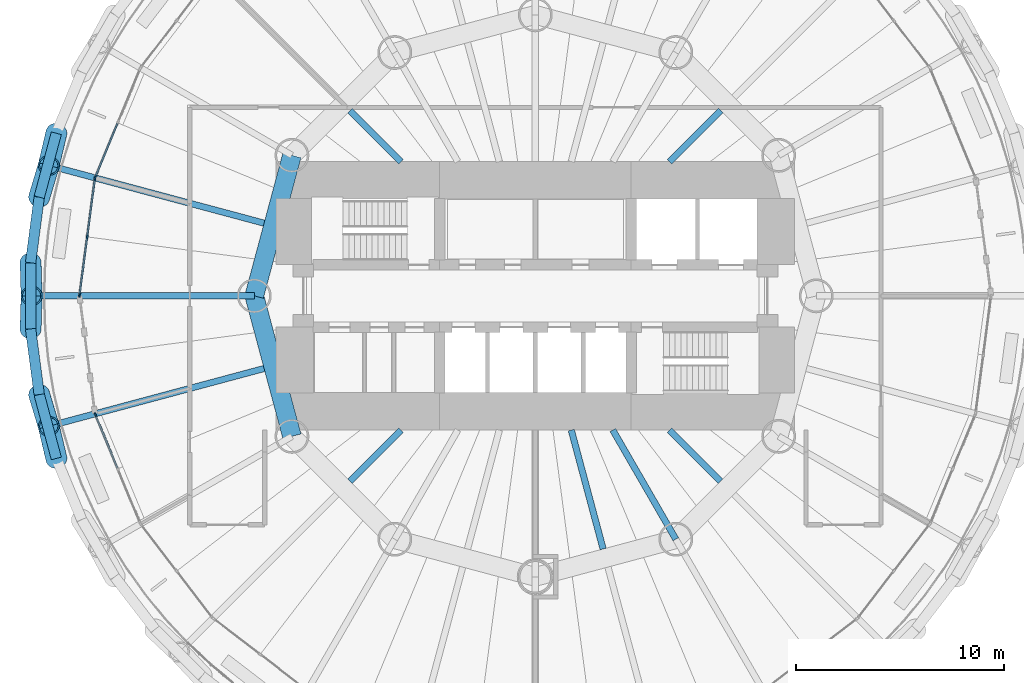
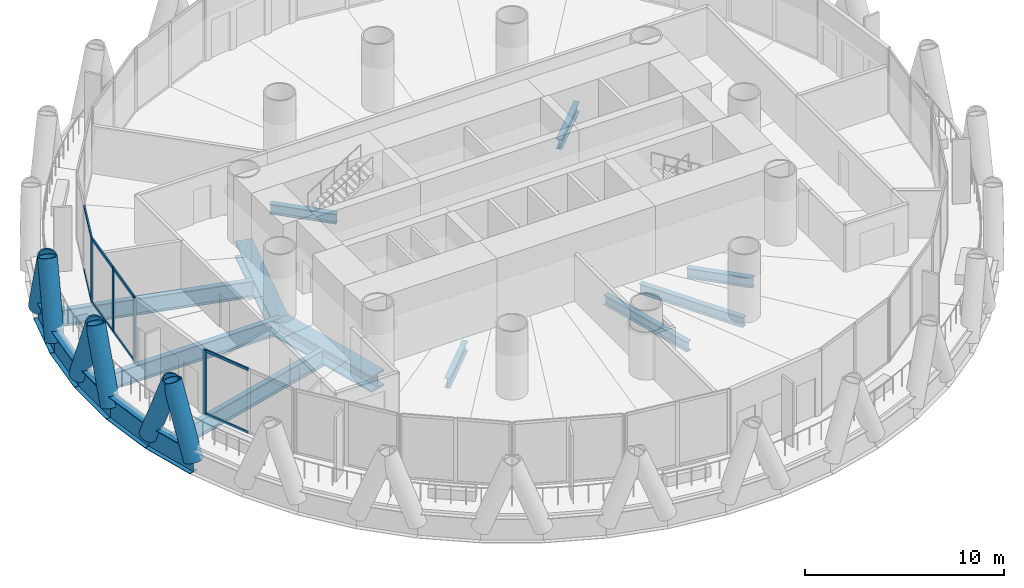
# One storey, part 3 of 15: 19 members, 16 beams, 3 elements without a shape of their own.
"""IFC4 building model written with IfcOpenShell, lengths in metres."""

from ifc_helpers import new_model, si_unit, direction, frame, origin, origin_2d, place, context, subcontext, project, spatial, rectangle, hollow_circle, i_section, extrude, material, material_profile, profile_set, type_object, element, aggregate, save


model = new_model("IFC4")

# Units and contexts
model_context = context("Model", 3, precision=1e-05, world=origin(), true_north=direction((0.0, 1.0)))
body_context = subcontext(model_context, "Body", "Model", "MODEL_VIEW")
ifc_project = project(units=[si_unit("LENGTHUNIT", "METRE"), si_unit("AREAUNIT", "SQUARE_METRE"), si_unit("VOLUMEUNIT", "CUBIC_METRE"), si_unit("PLANEANGLEUNIT", "RADIAN"), si_unit("MASSUNIT", "GRAM", prefix="KILO")], contexts=[model_context])

# Site, building, storey
site_placement = place(None, origin())
site = spatial("IfcSite", under=ifc_project, at=site_placement, CompositionType="ELEMENT")
building_placement = place(site_placement, origin())
building = spatial("IfcBuilding", under=site, at=building_placement, Name="Qaws Media Tower", CompositionType="ELEMENT")
storey_placement = place(building_placement, frame((0.0, 0.0, 189.800048828125)))
storey = spatial("IfcBuildingStorey", under=building, at=storey_placement, Name="L43", CompositionType="ELEMENT", Elevation=189.800048828125)

# Curtain wall, member
ifc_material_1 = material(Name="Aluminium and clear glass", Category="aluminium")
curtain_wall_type = type_object("IfcCurtainWallType", Name="Unitised curtain wall CW-B", PredefinedType="NOTDEFINED", material=ifc_material_1)
curtain_wall_1_placement = place(storey_placement, origin())
curtain_wall_1 = element("IfcCurtainWall", 1, at=curtain_wall_1_placement, inside=storey, type_object=curtain_wall_type, Name="CWB curtain wall L43-11", PredefinedType="NOTDEFINED")
ifc_material_2 = material(Name="Aluminium mullion", Category="aluminium")
ifc_material_profile_1 = material_profile(ifc_material_2, rectangle(XDim=0.080078125, YDim=0.199951171875, at=origin_2d()), Name="80x200")
ifc_profile_set_1 = profile_set([ifc_material_profile_1], Name="Aluminium mullion")
member_type_1 = type_object("IfcMemberType", Name="Curtain wall mullion 80x200", PredefinedType="MULLION", material=ifc_profile_set_1)
member_1_placement = place(storey_placement, frame((38.861572265625, 55.705078125, 0.0), z_axis=(0.0, 0.0, 1.0), x_axis=(0.923879488556, -0.382683538482, 0.0)))
member_1 = element("IfcMember", 2, at=member_1_placement, type_object=member_type_1, Name="CWB mullion 3", PredefinedType="MULLION", context=body_context, shape_type="SweptSolid", body=[
    extrude(rectangle(XDim=0.080078125, YDim=0.199951171875, at=origin_2d()), origin(), (0.0, 0.0, 1.0), 3.949951171875),
])

# Curtain wall, members
curtain_wall_2_placement = place(storey_placement, origin())
curtain_wall_2 = element("IfcCurtainWall", 3, at=curtain_wall_2_placement, inside=storey, type_object=curtain_wall_type, Name="CWB curtain wall L43-12", PredefinedType="NOTDEFINED")
member_2_placement = place(storey_placement, frame((38.841064453125, 55.62841796875, 0.0), z_axis=(0.0, 0.0, 1.0), x_axis=(0.991444870263, -0.1305261247, 0.0)))
member_2 = element("IfcMember", 4, at=member_2_placement, type_object=member_type_1, Name="CWB mullion 1", PredefinedType="MULLION", context=body_context, shape_type="SweptSolid", body=[
    extrude(rectangle(XDim=0.080078125, YDim=0.199951171875, at=origin_2d()), origin(), (0.0, 0.0, 1.0), 3.949951171875),
])
member_3_placement = place(storey_placement, frame((38.47314453125, 52.833984375, 0.0), z_axis=(0.0, 0.0, 1.0), x_axis=(0.991444870263, -0.1305261247, 0.0)))
member_3 = element("IfcMember", 5, at=member_3_placement, type_object=member_type_1, Name="CWB mullion 2", PredefinedType="MULLION", context=body_context, shape_type="SweptSolid", body=[
    extrude(rectangle(XDim=0.080078125, YDim=0.199951171875, at=origin_2d()), origin(), (0.0, 0.0, 1.0), 3.949951171875),
])
member_4_placement = place(storey_placement, frame((38.105224609375, 50.03955078125, 0.0), z_axis=(0.0, 0.0, 1.0), x_axis=(0.991444870263, -0.1305261247, 0.0)))
member_4 = element("IfcMember", 6, at=member_4_placement, type_object=member_type_1, Name="CWB mullion 3", PredefinedType="MULLION", context=body_context, shape_type="SweptSolid", body=[
    extrude(rectangle(XDim=0.080078125, YDim=0.199951171875, at=origin_2d()), origin(), (0.0, 0.0, 1.0), 3.949951171875),
])

# Curtain wall, member
curtain_wall_3_placement = place(storey_placement, origin())
curtain_wall_3 = element("IfcCurtainWall", 7, at=curtain_wall_3_placement, inside=storey, type_object=curtain_wall_type, Name="CWB curtain wall L43-14", PredefinedType="NOTDEFINED")
member_5_placement = place(storey_placement, frame((38.861572265625, 44.294921875, 0.0), z_axis=(0.0, 0.0, 1.0), x_axis=(0.923879488556, 0.382683538482, 0.0)))
member_5 = element("IfcMember", 8, at=member_5_placement, type_object=member_type_1, Name="CWB mullion 1", PredefinedType="MULLION", context=body_context, shape_type="SweptSolid", body=[
    extrude(rectangle(XDim=0.080078125, YDim=0.199951171875, at=origin_2d()), origin(), (0.0, 0.0, 1.0), 3.949951171875),
])

# Member
ifc_material_3 = material(Name="Aluminium transom", Category="aluminium")
ifc_material_profile_2 = material_profile(ifc_material_3, rectangle(XDim=0.080078125, YDim=0.159912109375, at=origin_2d()), Name="80x160")
ifc_profile_set_2 = profile_set([ifc_material_profile_2], Name="Aluminium transom")
member_type_2 = type_object("IfcMemberType", Name="Curtain wall transom 80x160", PredefinedType="USERDEFINED", material=ifc_profile_set_2)
member_6_placement = place(storey_placement, frame((39.9248046875, 58.272216796875, 0.0400390625), z_axis=(-0.382614237336, -0.923908190995, 0.0), x_axis=(0.923908190995, -0.382614237336, 0.0)))
member_6 = element("IfcMember", 9, at=member_6_placement, type_object=member_type_2, Name="CWB transom 2.1", ObjectType="TRANSOM", PredefinedType="USERDEFINED", context=body_context, shape_type="SweptSolid", body=[
    extrude(rectangle(XDim=0.080078125, YDim=0.159912109375, at=origin_2d()), origin(), (0.0, 0.0, 1.0), 2.73876953125),
])

member_7_placement = place(storey_placement, frame((39.9248046875, 58.272216796875, 3.909912109375), z_axis=(-0.382614237336, -0.923908190995, 0.0), x_axis=(0.923908190995, -0.382614237336, 0.0)))
member_7 = element("IfcMember", 10, at=member_7_placement, type_object=member_type_2, Name="CWB transom 2.2", ObjectType="TRANSOM", PredefinedType="USERDEFINED", context=body_context, shape_type="SweptSolid", body=[
    extrude(rectangle(XDim=0.080078125, YDim=0.159912109375, at=origin_2d()), origin(), (0.0, 0.0, 1.0), 2.73876953125),
])

aggregate(curtain_wall_1, [member_1, member_6, member_7])

member_8_placement = place(storey_placement, frame((38.835693359375, 55.5888671875, 0.0400390625), z_axis=(-0.130516778295, -0.991446100695, 0.0), x_axis=(0.991446100695, -0.130516778295, 0.0)))
member_8 = element("IfcMember", 11, at=member_8_placement, type_object=member_type_2, Name="CWB transom 1.1", ObjectType="TRANSOM", PredefinedType="USERDEFINED", context=body_context, shape_type="SweptSolid", body=[
    extrude(rectangle(XDim=0.080078125, YDim=0.159912109375, at=origin_2d()), origin(), (0.0, 0.0, 1.0), 2.738525390625),
])

member_9_placement = place(storey_placement, frame((38.835693359375, 55.5888671875, 3.909912109375), z_axis=(-0.130516778295, -0.991446100695, 0.0), x_axis=(0.991446100695, -0.130516778295, 0.0)))
member_9 = element("IfcMember", 12, at=member_9_placement, type_object=member_type_2, Name="CWB transom 1.2", ObjectType="TRANSOM", PredefinedType="USERDEFINED", context=body_context, shape_type="SweptSolid", body=[
    extrude(rectangle(XDim=0.080078125, YDim=0.159912109375, at=origin_2d()), origin(), (0.0, 0.0, 1.0), 2.738525390625),
])

member_10_placement = place(storey_placement, frame((38.4677734375, 52.79443359375, 0.0400390625), z_axis=(-0.130516778295, -0.991446100695, 0.0), x_axis=(0.991446100695, -0.130516778295, 0.0)))
member_10 = element("IfcMember", 13, at=member_10_placement, type_object=member_type_2, Name="CWB transom 2.1", ObjectType="TRANSOM", PredefinedType="USERDEFINED", context=body_context, shape_type="SweptSolid", body=[
    extrude(rectangle(XDim=0.080078125, YDim=0.159912109375, at=origin_2d()), origin(), (0.0, 0.0, 1.0), 2.738525390625),
])

member_11_placement = place(storey_placement, frame((38.4677734375, 52.79443359375, 3.909912109375), z_axis=(-0.130516778295, -0.991446100695, 0.0), x_axis=(0.991446100695, -0.130516778295, 0.0)))
member_11 = element("IfcMember", 14, at=member_11_placement, type_object=member_type_2, Name="CWB transom 2.2", ObjectType="TRANSOM", PredefinedType="USERDEFINED", context=body_context, shape_type="SweptSolid", body=[
    extrude(rectangle(XDim=0.080078125, YDim=0.159912109375, at=origin_2d()), origin(), (0.0, 0.0, 1.0), 2.738525390625),
])

aggregate(curtain_wall_2, [member_2, member_3, member_4, member_8, member_9, member_10, member_11])

member_12_placement = place(storey_placement, frame((38.876953125, 44.258056640625, 0.0400390625), z_axis=(0.382614237336, -0.923908190995, 0.0), x_axis=(0.923908190995, 0.382614237336, 0.0)))
member_12 = element("IfcMember", 15, at=member_12_placement, type_object=member_type_2, Name="CWB transom 1.1", ObjectType="TRANSOM", PredefinedType="USERDEFINED", context=body_context, shape_type="SweptSolid", body=[
    extrude(rectangle(XDim=0.080078125, YDim=0.159912109375, at=origin_2d()), origin(), (0.0, 0.0, 1.0), 2.73876953125),
])

member_13_placement = place(storey_placement, frame((38.876953125, 44.258056640625, 3.909912109375), z_axis=(0.382614237336, -0.923908190995, 0.0), x_axis=(0.923908190995, 0.382614237336, 0.0)))
member_13 = element("IfcMember", 16, at=member_13_placement, type_object=member_type_2, Name="CWB transom 1.2", ObjectType="TRANSOM", PredefinedType="USERDEFINED", context=body_context, shape_type="SweptSolid", body=[
    extrude(rectangle(XDim=0.080078125, YDim=0.159912109375, at=origin_2d()), origin(), (0.0, 0.0, 1.0), 2.73876953125),
])

aggregate(curtain_wall_3, [member_5, member_12, member_13])

# Members
ifc_material_4 = material(Name="Steel S460", Category="steel")
ifc_material_profile_3 = material_profile(ifc_material_4, hollow_circle(Radius=0.508056640625, WallThickness=0.070068359375, at=origin_2d()), Name="CHS 1016x70")
ifc_profile_set_3 = profile_set([ifc_material_profile_3], Name="Steel S460")
member_type_3 = type_object("IfcMemberType", Name="Diagrid member CHS 1016x70", PredefinedType="USERDEFINED", material=ifc_profile_set_3)
for number, where, z_axis, x_axis, name in (
    (17, (36.989501953125, 57.81103515625, -0.91015625), (-0.082821332267, -0.351173528591, 0.93264021988), (0.973298231659, -0.229544227217, 0.0), "DG3 diagrid L43 A11"),
    (18, (35.751953125, 51.58935546875, -0.91015625), (0.010913564111, -0.360646204892, 0.932638841683), (0.999542446028, 0.030247290609, 0.0), "DG3 diagrid L43 A12"),
    (19, (36.1669921875, 54.74072265625, -0.91015625), (0.103818449578, 0.345525971194, 0.932648665231), (-0.957703638268, 0.287756392194, 0.0), "DG3 diagrid L43 B12"),
    (20, (36.1669921875, 45.25927734375, -0.91015625), (0.103818449578, -0.345525971194, 0.932648665231), (0.957703638268, 0.287756392194, 0.0), "DG3 diagrid L43 A13"),
    (21, (35.751953125, 48.41064453125, -0.91015625), (0.010913564111, 0.360646204892, 0.932638841683), (-0.999542446028, 0.030247290609, 0.0), "DG3 diagrid L43 B13"),
    (22, (36.989501953125, 42.18896484375, -0.91015625), (-0.082821332267, 0.351173528591, 0.93264021988), (-0.973298231659, -0.229544227217, 0.0), "DG3 diagrid L43 B14"),
):
    element("IfcMember", number, at=place(storey_placement, frame(where, z_axis=z_axis, x_axis=x_axis)), inside=storey, type_object=member_type_3, Name=name, ObjectType="DIAGRID", PredefinedType="USERDEFINED", context=body_context, shape_type="SweptSolid", body=[
        extrude(hollow_circle(Radius=0.508056640625, WallThickness=0.070068359375, at=origin_2d()), origin(), (0.0, 0.0, 1.0), 4.406982421875),
    ])

# Beams
ifc_material_5 = material(Name="Steel S460", Category="steel")
ifc_material_profile_4 = material_profile(ifc_material_5, i_section(OverallWidth=0.5, OverallDepth=1.5, WebThickness=0.02001953125, FlangeThickness=0.0400390625, at=origin_2d()), Name="PG 1500x500")
ifc_profile_set_4 = profile_set([ifc_material_profile_4], Name="Steel S460")
beam_type_1 = type_object("IfcBeamType", Name="Edge ring beam PG 1500x500", PredefinedType="BEAM", material=ifc_profile_set_4)
for number, where, z_axis, x_axis, name in (
    (23, (36.989501953125, 57.81103515625, -0.91015625), (-0.258766799229, -0.965939824014, 0.0), (0.965939824014, -0.258766799229, 0.0), "RB4 edge ring beam L43-22"),
    (24, (36.1669921875, 54.74072265625, -0.91015625), (-0.130573723613, -0.991438602588, 0.0), (0.991438602588, -0.130573723613, 0.0), "RB4 edge ring beam L43-23"),
):
    element("IfcBeam", number, at=place(storey_placement, frame(where, z_axis=z_axis, x_axis=x_axis)), inside=storey, type_object=beam_type_1, Name=name, PredefinedType="BEAM", context=body_context, shape_type="SweptSolid", body=[
        extrude(i_section(OverallWidth=0.5, OverallDepth=1.5, WebThickness=0.02001953125, FlangeThickness=0.0400390625, at=origin_2d()), origin(), (0.0, 0.0, 1.0), 3.178466796875),
    ])
beam_1_placement = place(storey_placement, frame((35.751953125, 51.58935546875, -0.91015625), z_axis=(0.0, -1.0, 0.0), x_axis=(1.0, 0.0, 0.0)))
element("IfcBeam", 25, at=beam_1_placement, inside=storey, type_object=beam_type_1, Name="RB4 edge ring beam L43-24", PredefinedType="BEAM", context=body_context, shape_type="SweptSolid", body=[
    extrude(i_section(OverallWidth=0.5, OverallDepth=1.5, WebThickness=0.02001953125, FlangeThickness=0.0400390625, at=origin_2d()), origin(), (0.0, 0.0, 1.0), 3.1787109375),
])
for number, where, z_axis, x_axis, name in (
    (26, (35.751953125, 48.41064453125, -0.91015625), (0.130573723613, -0.991438602588, 0.0), (0.991438602588, 0.130573723613, 0.0), "RB4 edge ring beam L43-25"),
    (27, (36.1669921875, 45.25927734375, -0.91015625), (0.258766799229, -0.965939824014, 0.0), (0.965939824014, 0.258766799229, 0.0), "RB4 edge ring beam L43-26"),
):
    element("IfcBeam", number, at=place(storey_placement, frame(where, z_axis=z_axis, x_axis=x_axis)), inside=storey, type_object=beam_type_1, Name=name, PredefinedType="BEAM", context=body_context, shape_type="SweptSolid", body=[
        extrude(i_section(OverallWidth=0.5, OverallDepth=1.5, WebThickness=0.02001953125, FlangeThickness=0.0400390625, at=origin_2d()), origin(), (0.0, 0.0, 1.0), 3.178466796875),
    ])
ifc_material_6 = material(Name="Steel S460", Category="steel")
ifc_material_profile_5 = material_profile(ifc_material_6, i_section(OverallWidth=0.89990234375, OverallDepth=1.0, WebThickness=0.044921875, FlangeThickness=0.110107421875, at=origin_2d()), Name="PG 1000x900")
ifc_profile_set_5 = profile_set([ifc_material_profile_5], Name="Steel S460")
beam_type_2 = type_object("IfcBeamType", Name="Inner ring girder PG 1000x900", PredefinedType="BEAM", material=ifc_profile_set_5)
for number, where, z_axis, x_axis, name in (
    (28, (48.30859375, 56.75, -0.66015625), (-0.258810593767, -0.965928090778, 0.0), (0.965928090778, -0.258810593767, 0.0), "B3 inner ring beam L43 I06-I07"),
    (29, (46.5, 50.0, -0.66015625), (0.258810593767, -0.965928090778, 0.0), (0.965928090778, 0.258810593767, 0.0), "B3 inner ring beam L43 I07-I08"),
):
    element("IfcBeam", number, at=place(storey_placement, frame(where, z_axis=z_axis, x_axis=x_axis)), inside=storey, type_object=beam_type_2, Name=name, PredefinedType="BEAM", context=body_context, shape_type="SweptSolid", body=[
        extrude(i_section(OverallWidth=0.89990234375, OverallDepth=1.0, WebThickness=0.044921875, FlangeThickness=0.110107421875, at=origin_2d()), origin(), (0.0, 0.0, 1.0), 6.988037109375),
    ])
ifc_material_7 = material(Name="Steel S355", Category="steel")
ifc_material_profile_6 = material_profile(ifc_material_7, i_section(OverallWidth=0.302001953125, OverallDepth=1.008056640625, WebThickness=0.02099609375, FlangeThickness=0.0400390625, FilletRadius=0.030029296875, at=origin_2d()), Name="HE 1000 M")
ifc_profile_set_6 = profile_set([ifc_material_profile_6], Name="Steel S355")
beam_type_3 = type_object("IfcBeamType", Name="Radial beam HE 1000 M", PredefinedType="BEAM", material=ifc_profile_set_6)
beam_2_placement = place(storey_placement, frame((46.9697265625, 53.491455078125, -0.6640625), z_axis=(-0.965924246074, 0.258824942473, 0.0), x_axis=(-0.258824942473, -0.965924246074, 0.0)))
element("IfcBeam", 30, at=beam_2_placement, inside=storey, type_object=beam_type_3, Name="B1 radial beam L43 12", PredefinedType="BEAM", context=body_context, shape_type="SweptSolid", body=[
    extrude(i_section(OverallWidth=0.302001953125, OverallDepth=1.008056640625, WebThickness=0.02099609375, FlangeThickness=0.0400390625, FilletRadius=0.030029296875, at=origin_2d()), origin(), (0.0, 0.0, 1.0), 10.758056640625),
])
beam_3_placement = place(storey_placement, frame((46.5, 50.0, -0.6640625), z_axis=(-1.0, 0.0, 0.0), x_axis=(0.0, -1.0, 0.0)))
element("IfcBeam", 31, at=beam_3_placement, inside=storey, type_object=beam_type_3, Name="B1 radial beam L43 13", PredefinedType="BEAM", context=body_context, shape_type="SweptSolid", body=[
    extrude(i_section(OverallWidth=0.302001953125, OverallDepth=1.008056640625, WebThickness=0.02099609375, FlangeThickness=0.0400390625, FilletRadius=0.030029296875, at=origin_2d()), origin(), (0.0, 0.0, 1.0), 10.748046875),
])
beam_4_placement = place(storey_placement, frame((46.9697265625, 46.508544921875, -0.6640625), z_axis=(-0.965924246074, -0.258824942473, 0.0), x_axis=(0.258824942473, -0.965924246074, 0.0)))
element("IfcBeam", 32, at=beam_4_placement, inside=storey, type_object=beam_type_3, Name="B1 radial beam L43 14", PredefinedType="BEAM", context=body_context, shape_type="SweptSolid", body=[
    extrude(i_section(OverallWidth=0.302001953125, OverallDepth=1.008056640625, WebThickness=0.02099609375, FlangeThickness=0.0400390625, FilletRadius=0.030029296875, at=origin_2d()), origin(), (0.0, 0.0, 1.0), 10.758056640625),
])
ifc_material_8 = material(Name="Steel S355", Category="steel")
ifc_material_profile_7 = material_profile(ifc_material_8, i_section(OverallWidth=0.304931640625, OverallDepth=0.6201171875, WebThickness=0.02099609375, FlangeThickness=0.0400390625, FilletRadius=0.027099609375, at=origin_2d()), Name="HE 600 M")
ifc_profile_set_7 = profile_set([ifc_material_profile_7], Name="Steel S355")
beam_type_4 = type_object("IfcBeamType", Name="Radial beam HE 600 M, core side", PredefinedType="BEAM", material=ifc_profile_set_7)
for number, where, z_axis, x_axis, name in (
    (33, (66.449951171875, 56.449951171875, -0.469970703125), (0.707106781187, 0.707106781187, 0.0), (-0.707106781187, 0.707106781187, 0.0), "B2 radial beam L43 04"),
    (34, (53.550048828125, 56.449951171875, -0.469970703125), (-0.707106781187, 0.707106781187, 0.0), (-0.707106781187, -0.707106781187, 0.0), "B2 radial beam L43 10"),
    (35, (53.550048828125, 43.550048828125, -0.469970703125), (-0.707106781187, -0.707106781187, 0.0), (0.707106781187, -0.707106781187, 0.0), "B2 radial beam L43 16"),
):
    element("IfcBeam", number, at=place(storey_placement, frame(where, z_axis=z_axis, x_axis=x_axis)), inside=storey, type_object=beam_type_4, Name=name, PredefinedType="BEAM", context=body_context, shape_type="SweptSolid", body=[
        extrude(i_section(OverallWidth=0.304931640625, OverallDepth=0.6201171875, WebThickness=0.02099609375, FlangeThickness=0.0400390625, FilletRadius=0.027099609375, at=origin_2d()), origin(), (0.0, 0.0, 1.0), 3.468505859375),
    ])
beam_5_placement = place(storey_placement, frame((61.728271484375, 43.550048828125, -0.469970703125), z_axis=(0.258824149545, -0.965924458543, 0.0), x_axis=(0.965924458543, 0.258824149545, 0.0)))
element("IfcBeam", 36, at=beam_5_placement, inside=storey, type_object=beam_type_4, Name="B2 radial beam L43 20", PredefinedType="BEAM", context=body_context, shape_type="SweptSolid", body=[
    extrude(i_section(OverallWidth=0.304931640625, OverallDepth=0.6201171875, WebThickness=0.02099609375, FlangeThickness=0.0400390625, FilletRadius=0.027099609375, at=origin_2d()), origin(), (0.0, 0.0, 1.0), 5.912353515625),
])
beam_6_placement = place(storey_placement, frame((63.723876953125, 43.550048828125, -0.469970703125), z_axis=(0.499995978368, -0.866027725662, 0.0), x_axis=(0.866027725662, 0.499995978368, 0.0)))
element("IfcBeam", 37, at=beam_6_placement, inside=storey, type_object=beam_type_4, Name="B2 radial beam L43 21", PredefinedType="BEAM", context=body_context, shape_type="SweptSolid", body=[
    extrude(i_section(OverallWidth=0.304931640625, OverallDepth=0.6201171875, WebThickness=0.02099609375, FlangeThickness=0.0400390625, FilletRadius=0.027099609375, at=origin_2d()), origin(), (0.0, 0.0, 1.0), 6.05224609375),
])
beam_7_placement = place(storey_placement, frame((66.449951171875, 43.550048828125, -0.469970703125), z_axis=(0.707106781187, -0.707106781187, 0.0), x_axis=(0.707106781187, 0.707106781187, 0.0)))
element("IfcBeam", 38, at=beam_7_placement, inside=storey, type_object=beam_type_4, Name="B2 radial beam L43 22", PredefinedType="BEAM", context=body_context, shape_type="SweptSolid", body=[
    extrude(i_section(OverallWidth=0.304931640625, OverallDepth=0.6201171875, WebThickness=0.02099609375, FlangeThickness=0.0400390625, FilletRadius=0.027099609375, at=origin_2d()), origin(), (0.0, 0.0, 1.0), 3.468505859375),
])

save(model, "model.ifc")
